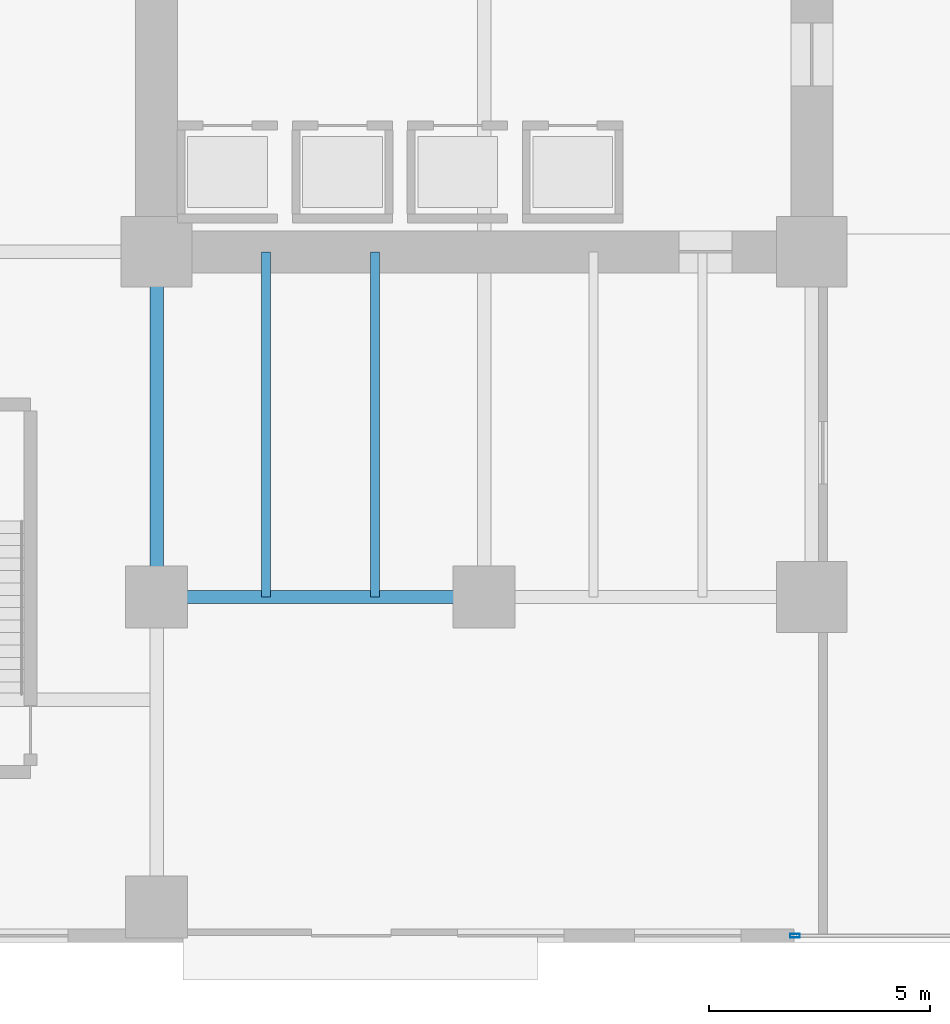
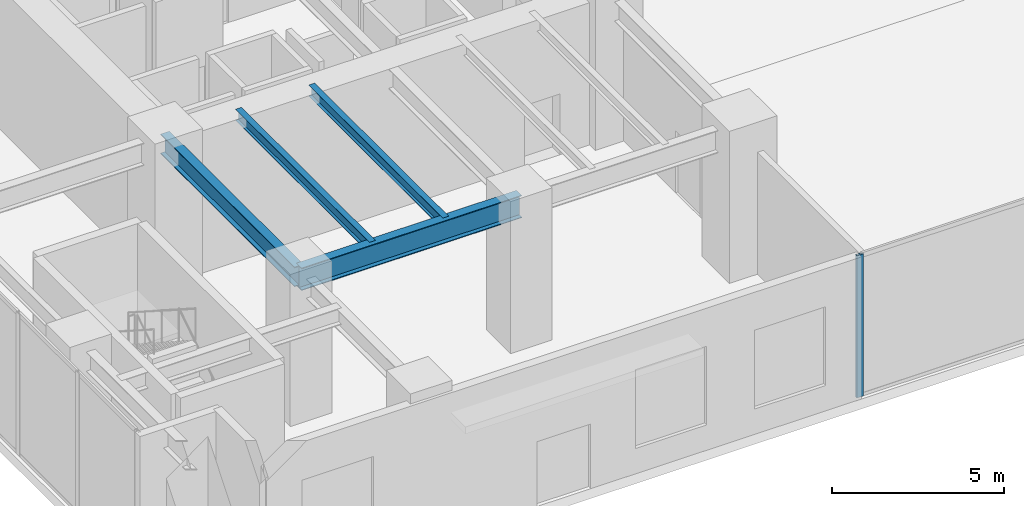
# One storey, part 3 of 28: 4 beams, 1 member, 1 element without a shape of its own.
"""IFC4 building model written with IfcOpenShell, lengths in metres."""

from ifc_helpers import new_model, si_unit, direction, frame, origin, origin_2d, place, context, subcontext, project, spatial, hollow_rectangle, i_section, extrude, source, transform, mapped, material, layer, layer_set, material_profile, profile_set, type_object, type_shapes, element, aggregate, save


model = new_model("IFC4")

# Units and contexts
model_context = context("Model", 3, precision=1e-05, world=origin(), true_north=direction((0.0, 1.0)))
body_context = subcontext(model_context, "Body", "Model", "MODEL_VIEW")
ifc_project = project(units=[si_unit("LENGTHUNIT", "METRE"), si_unit("AREAUNIT", "SQUARE_METRE"), si_unit("VOLUMEUNIT", "CUBIC_METRE"), si_unit("PLANEANGLEUNIT", "RADIAN"), si_unit("MASSUNIT", "GRAM", prefix="KILO")], contexts=[model_context])

# Site, building, storey
site_placement = place(None, origin())
site = spatial("IfcSite", under=ifc_project, at=site_placement, CompositionType="ELEMENT")
building_placement = place(site_placement, origin())
building = spatial("IfcBuilding", under=site, at=building_placement, Name="Haelvirn Gate Laboratories", CompositionType="ELEMENT")
storey_placement = place(building_placement, origin())
storey = spatial("IfcBuildingStorey", under=building, at=storey_placement, Name="L01", CompositionType="ELEMENT", Elevation=0.0)

# Beams
ifc_material_1 = material(Name="Steel SM420", Category="steel")
ifc_material_profile_1 = material_profile(ifc_material_1, i_section(OverallWidth=0.300048828125, OverallDepth=0.800048828125, WebThickness=0.013916015625, FlangeThickness=0.02587890625, at=origin_2d()), Name="H-800x300x14x26")
ifc_profile_set_1 = profile_set([ifc_material_profile_1], Name="Steel SM420")
beam_type_1 = type_object("IfcBeamType", Name="BM-G-800", PredefinedType="BEAM", material=ifc_profile_set_1)
shared_shape_1 = source(origin(), body_context, "Body", "SweptSolid", [
    extrude(i_section(OverallWidth=0.300048828125, OverallDepth=0.800048828125, WebThickness=0.013916015625, FlangeThickness=0.02587890625, at=origin_2d()), origin(), (0.0, 0.0, 1.0), 7.400146484375),
])
type_shapes(beam_type_1, [shared_shape_1])
beam_1_placement = place(storey_placement, frame((7.39990234375, 7.0, 4.64990234375), z_axis=(1.0, 0.0, 0.0), x_axis=(0.0, 1.0, 0.0)))
element("IfcBeam", 1, at=beam_1_placement, inside=storey, type_object=beam_type_1, Name="L01 Primary Girder Y7.0 (7.4-14.8)", PredefinedType="BEAM", context=body_context, shape_type="MappedRepresentation", body=[
    mapped(shared_shape_1, transform((0.0, 0.0, 0.0), scale=1.0)),
])
ifc_material_2 = material(Name="Steel SM355", Category="steel")
ifc_material_profile_2 = material_profile(ifc_material_2, i_section(OverallWidth=0.199951171875, OverallDepth=0.39990234375, WebThickness=0.008056640625, FlangeThickness=0.012939453125, at=origin_2d()), Name="H-400x200x8x13")
ifc_profile_set_2 = profile_set([ifc_material_profile_2], Name="Steel SM355")
beam_type_2 = type_object("IfcBeamType", Name="BM-J-400", PredefinedType="JOIST", material=ifc_profile_set_2)
shared_shape_2 = source(origin(), body_context, "Body", "SweptSolid", [
    extrude(i_section(OverallWidth=0.199951171875, OverallDepth=0.39990234375, WebThickness=0.008056640625, FlangeThickness=0.012939453125, at=origin_2d()), origin(), (0.0, 0.0, 1.0), 7.800048828125),
])
type_shapes(beam_type_2, [shared_shape_2])
for number, where, z_axis, x_axis, name in (
    (2, (9.8701171875, 7.0, 4.85009765625), (0.0, 1.0, 0.0), (-1.0, 0.0, 0.0), "L01 Composite Lab Joist South X9.87"),
    (3, (12.330078125, 7.0, 4.85009765625), (0.0, 1.0, 0.0), (-1.0, 0.0, 0.0), "L01 Composite Lab Joist South X12.33"),
):
    element("IfcBeam", number, at=place(storey_placement, frame(where, z_axis=z_axis, x_axis=x_axis)), inside=storey, type_object=beam_type_2, Name=name, PredefinedType="JOIST", context=body_context, shape_type="MappedRepresentation", body=[
        mapped(shared_shape_2, transform((0.0, 0.0, 0.0), scale=1.0)),
    ])
ifc_material_profile_3 = material_profile(ifc_material_2, i_section(OverallWidth=0.300048828125, OverallDepth=0.699951171875, WebThickness=0.012939453125, FlangeThickness=0.02392578125, at=origin_2d()), Name="H-700x300x13x24")
ifc_profile_set_3 = profile_set([ifc_material_profile_3], Name="Steel SM355")
beam_type_3 = type_object("IfcBeamType", Name="BM-G-700", PredefinedType="BEAM", material=ifc_profile_set_3)
shared_shape_3 = source(origin(), body_context, "Body", "SweptSolid", [
    extrude(i_section(OverallWidth=0.300048828125, OverallDepth=0.699951171875, WebThickness=0.012939453125, FlangeThickness=0.02392578125, at=origin_2d()), origin(), (0.0, 0.0, 1.0), 7.800048828125),
])
type_shapes(beam_type_3, [shared_shape_3])
beam_2_placement = place(storey_placement, frame((7.39990234375, 7.0, 4.699951171875), z_axis=(0.0, 1.0, 0.0), x_axis=(-1.0, 0.0, 0.0)))
element("IfcBeam", 4, at=beam_2_placement, inside=storey, type_object=beam_type_3, Name="L01 Frame Girder X7.4 (7.0-14.8)", PredefinedType="BEAM", context=body_context, shape_type="MappedRepresentation", body=[
    mapped(shared_shape_3, transform((0.0, 0.0, 0.0), scale=1.0)),
])

# Curtain wall, member
ifc_material_3 = material(Name="Anodised bronze unitised aluminium & triple low-E glass", Category="aluminium")
ifc_layer = layer(ifc_material_3, 0.18798828125, Name="CW-SYS-1")
ifc_layer_set = layer_set([ifc_layer], Name="Anodised bronze unitised aluminium & triple low-E glass")
curtain_wall_type = type_object("IfcCurtainWallType", Name="CW-SYS-1", PredefinedType="NOTDEFINED", material=ifc_layer_set)
curtain_wall_placement = place(storey_placement, origin())
curtain_wall = element("IfcCurtainWall", 5, at=curtain_wall_placement, inside=storey, type_object=curtain_wall_type, Name="L01 Unitised Curtain Wall CW-L01-SL", PredefinedType="NOTDEFINED")
ifc_material_4 = material(Name="Extruded aluminium 6063-T6 (anodised bronze)", Category="aluminium")
ifc_material_profile_4 = material_profile(ifc_material_4, hollow_rectangle(XDim=0.080078125, YDim=0.219970703125, WallThickness=0.006103515625, at=origin_2d()), Name="CWM-220x80x6")
ifc_profile_set_4 = profile_set([ifc_material_profile_4], Name="Extruded aluminium 6063-T6 (anodised bronze)")
member_type = type_object("IfcMemberType", Name="CWM-T220", PredefinedType="MULLION", material=ifc_profile_set_4)
shared_shape_4 = source(origin(), body_context, "Body", "SweptSolid", [
    extrude(hollow_rectangle(XDim=0.080078125, YDim=0.219970703125, WallThickness=0.006103515625, at=origin_2d()), origin(), (0.0, 0.0, 1.0), 5.050048828125),
])
type_shapes(member_type, [shared_shape_4])
member_placement = place(storey_placement, frame((21.820068359375, -0.64990234375, 0.0), z_axis=(0.0, 0.0, 1.0), x_axis=(0.0, 1.0, 0.0)))
member = element("IfcMember", 6, at=member_placement, type_object=member_type, Name="CW1 mullion 1", PredefinedType="MULLION", context=body_context, shape_type="MappedRepresentation", body=[
    mapped(shared_shape_4, transform((0.0, 0.0, 0.0), scale=1.0)),
])
aggregate(curtain_wall, [member])

save(model, "model.ifc")
